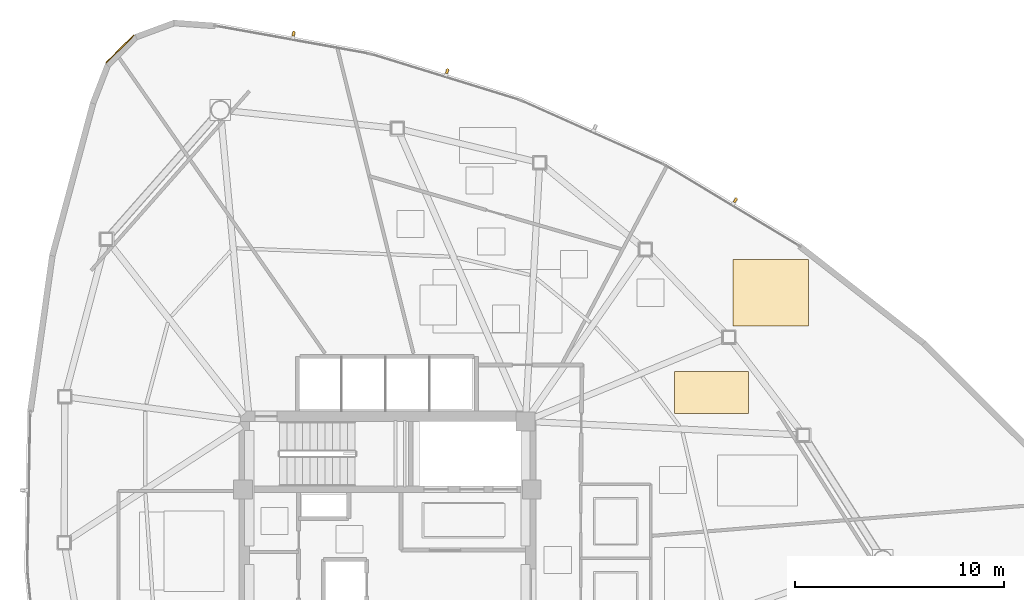
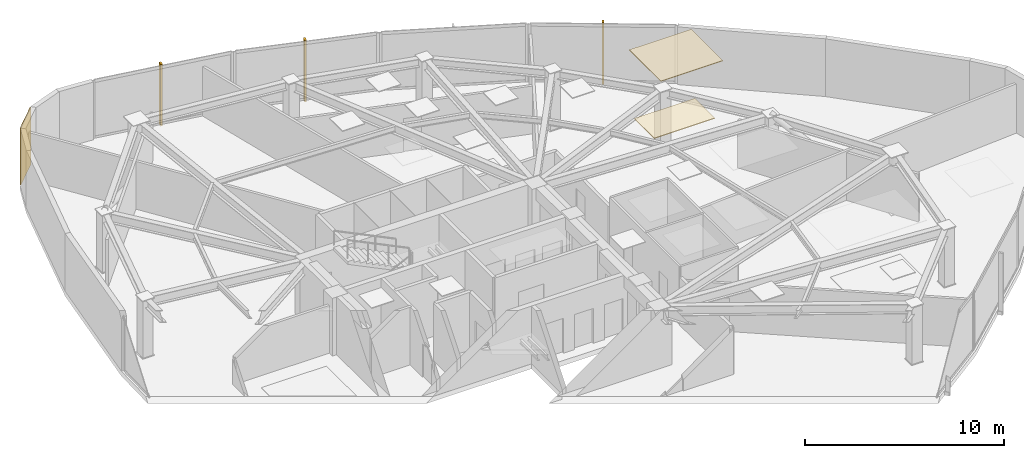
# One storey, part 17 of 17: 3 coverings, 3 shading devices.
"""IFC4 building model written with IfcOpenShell, lengths in metres."""

from ifc_helpers import new_model, si_unit, direction, frame, origin, origin_2d, place, context, subcontext, project, spatial, polyline, rectangle, outline, extrude, source, transform, mapped, material, layer, layer_set, type_object, type_shapes, element, save


model = new_model("IFC4")

# Units and contexts
model_context = context("Model", 3, precision=1e-05, world=origin(), true_north=direction((0.0, 1.0)))
body_context = subcontext(model_context, "Body", "Model", "MODEL_VIEW")
ifc_project = project(units=[si_unit("LENGTHUNIT", "METRE"), si_unit("AREAUNIT", "SQUARE_METRE"), si_unit("VOLUMEUNIT", "CUBIC_METRE"), si_unit("PLANEANGLEUNIT", "RADIAN"), si_unit("MASSUNIT", "GRAM", prefix="KILO")], contexts=[model_context])

# Site, building, storey
site_placement = place(None, origin())
site = spatial("IfcSite", under=ifc_project, at=site_placement, CompositionType="ELEMENT")
building_placement = place(site_placement, origin())
building = spatial("IfcBuilding", under=site, at=building_placement, Name="Tavelor Broadcast Tower", CompositionType="ELEMENT")
storey_placement = place(building_placement, frame((0.0, 0.0, 169.5)))
storey = spatial("IfcBuildingStorey", under=building, at=storey_placement, Name="L40", CompositionType="ELEMENT", Elevation=169.5)

# Coverings
ifc_material_1 = material(Name="Copper-Bronze Anodized Aluminium", Category="aluminium")
ifc_layer_1 = layer(ifc_material_1, 0.050048828125)
ifc_layer_set_1 = layer_set([ifc_layer_1], Name="Copper-Bronze Anodized Aluminium")
covering_type_1 = type_object("IfcCoveringType", Name="Champagne-Bronze Corner Pier Metal Cladding 50 mm", PredefinedType="CLADDING", material=ifc_layer_set_1)
covering_1_placement = place(storey_placement, frame((37.218017578125, 69.00341796875, 0.02001953125), z_axis=(0.0, 0.0, 1.0), x_axis=(-0.712638518925, -0.701531425771, 0.0)))
element("IfcCovering", 1, at=covering_1_placement, inside=storey, type_object=covering_type_1, Name="L40 Champagne-Bronze Corner Cladding 03", PredefinedType="CLADDING", context=body_context, shape_type="SweptSolid", body=[
    extrude(rectangle(XDim=1.885009765625, YDim=0.050048828125, at=origin_2d()), origin(), (0.0, 0.0, 1.0), 3.510009765625),
])
ifc_material_2 = material(Name="Acoustic Mineral Fibre Tile")
ifc_layer_2 = layer(ifc_material_2, 0.0400390625)
ifc_layer_set_2 = layer_set([ifc_layer_2], Name="Acoustic Mineral Fibre Tile")
covering_type_2 = type_object("IfcCoveringType", Name="Suspended Acoustic Mineral-Fibre Office Ceiling 40 mm", PredefinedType="CEILING", material=ifc_layer_set_2)
covering_2_placement = place(storey_placement, frame((0.0, 0.0, 3.510009765625)))
element("IfcCovering", 2, at=covering_2_placement, inside=storey, type_object=covering_type_2, Name="L40 Suspended Acoustic Ceiling 1671", PredefinedType="CEILING", context=body_context, shape_type="SweptSolid", body=[
    extrude(outline(polyline([(66.51708984375, 55.755615234375), (70.126220703125, 55.755615234375), (70.126220703125, 58.933349609375), (66.51708984375, 58.933349609375), (66.51708984375, 55.755615234375)])), origin(), (0.0, 0.0, 1.0), 0.0400390625),
])
covering_3_placement = place(storey_placement, frame((0.0, 0.0, 3.510009765625)))
element("IfcCovering", 3, at=covering_3_placement, inside=storey, type_object=covering_type_2, Name="L40 Suspended Acoustic Ceiling 1672", PredefinedType="CEILING", context=body_context, shape_type="SweptSolid", body=[
    extrude(outline(polyline([(63.724365234375, 51.583740234375), (67.2587890625, 51.583740234375), (67.2587890625, 53.588134765625), (63.724365234375, 53.588134765625), (63.724365234375, 51.583740234375)])), origin(), (0.0, 0.0, 1.0), 0.0400390625),
])

# Shading devices
ifc_material_3 = material(Name="Kiln-Fired Glazed Terracotta", Category="masonry")
shading_device_type = type_object("IfcShadingDeviceType", Name="Extruded Terracotta Baguette Sun-Screen 110x240", PredefinedType="JALOUSIE", material=ifc_material_3)
shared_shape = source(origin(), body_context, "Body", "SweptSolid", [
    extrude(rectangle(XDim=0.110107421875, YDim=0.239990234375, at=origin_2d()), origin(), (0.0, 0.0, 1.0), 3.7900390625),
])
type_shapes(shading_device_type, [shared_shape])
for number, where, z_axis, x_axis, name in (
    (4, (66.634765625, 61.7734375, -0.260009765625), (0.0, 0.0, 1.0), (-0.856537423431, 0.516084917685, 0.0), "L40 Terracotta Baguette Fin 417"),
    (5, (52.859375, 67.942626953125, -0.260009765625), (0.0, 0.0, 1.0), (-0.955433063541, 0.295207826951, 0.0), "L40 Terracotta Baguette Fin 419"),
    (6, (45.513671875, 69.7333984375, -0.260009765625), (0.0, 0.0, 1.0), (-0.984133733774, 0.177428278601, 0.0), "L40 Terracotta Baguette Fin 420"),
):
    element("IfcShadingDevice", number, at=place(storey_placement, frame(where, z_axis=z_axis, x_axis=x_axis)), inside=storey, type_object=shading_device_type, Name=name, PredefinedType="JALOUSIE", context=body_context, shape_type="MappedRepresentation", body=[
        mapped(shared_shape, transform((0.0, 0.0, 0.0), scale=1.0)),
    ])

save(model, "model.ifc")
